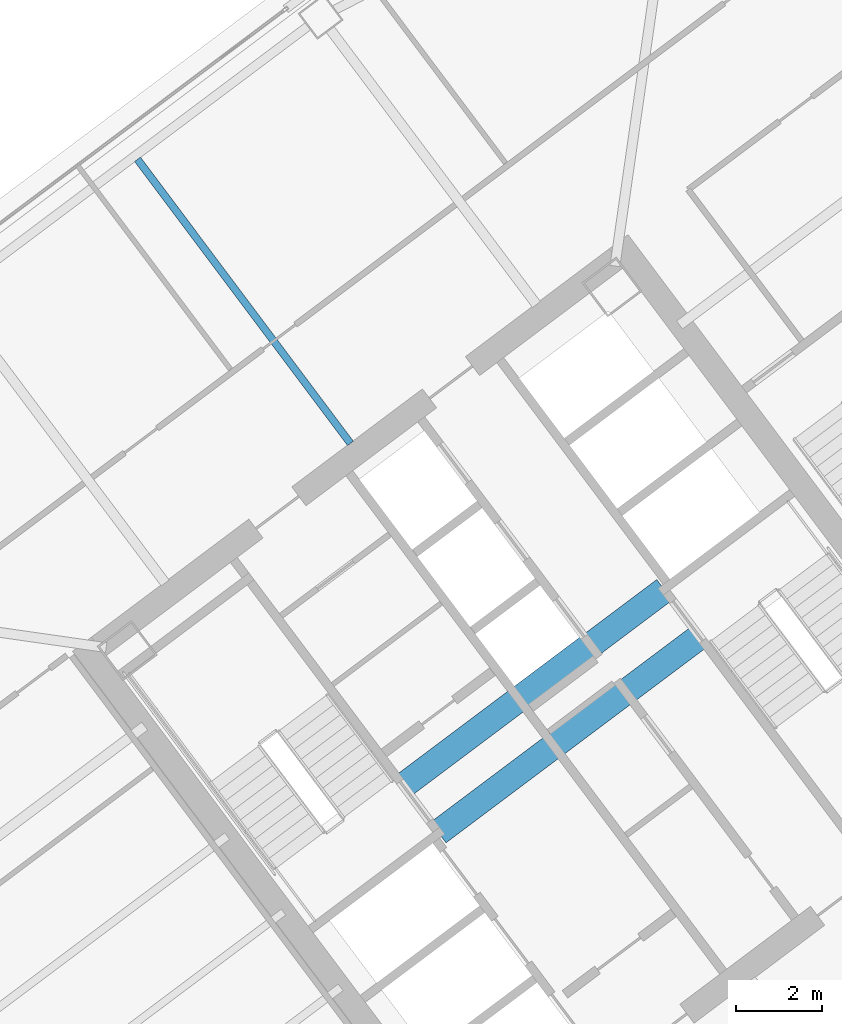
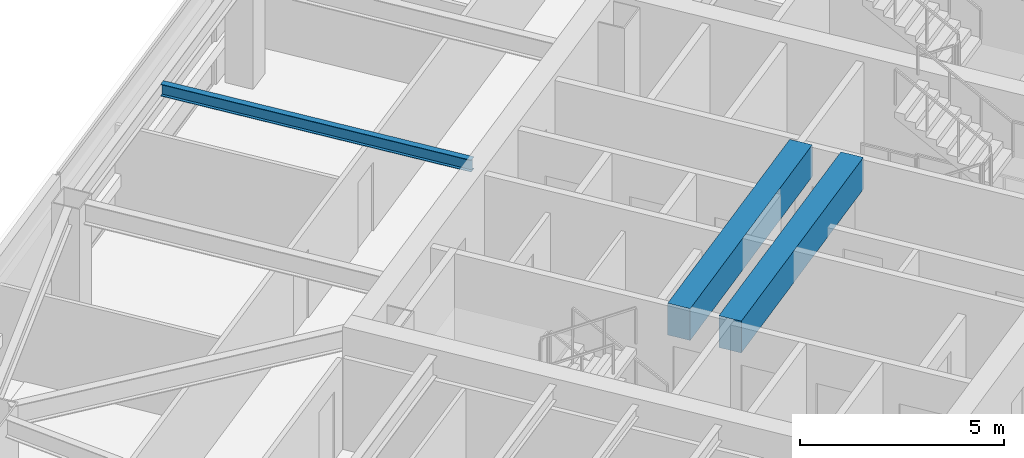
# One storey, part 21 of 41: 3 beams.
"""IFC4 building model written with IfcOpenShell, lengths in metres."""

from ifc_helpers import new_model, si_unit, direction, frame, origin, origin_2d, place, context, subcontext, project, spatial, rectangle, i_section, extrude, material, material_profile, profile_set, type_object, element, save


model = new_model("IFC4")

# Units and contexts
model_context = context("Model", 3, precision=1e-05, world=origin(), true_north=direction((0.0, 1.0)))
body_context = subcontext(model_context, "Body", "Model", "MODEL_VIEW")
ifc_project = project(units=[si_unit("LENGTHUNIT", "METRE"), si_unit("AREAUNIT", "SQUARE_METRE"), si_unit("VOLUMEUNIT", "CUBIC_METRE"), si_unit("PLANEANGLEUNIT", "RADIAN"), si_unit("MASSUNIT", "GRAM", prefix="KILO")], contexts=[model_context])

# Site, building, storey
site_placement = place(None, origin())
site = spatial("IfcSite", under=ifc_project, at=site_placement, CompositionType="ELEMENT")
building_placement = place(site_placement, origin())
building = spatial("IfcBuilding", under=site, at=building_placement, Name="Tashvorn Skyway Center", CompositionType="ELEMENT")
storey_placement = place(building_placement, frame((0.0, 0.0, 171.199951171875)))
storey = spatial("IfcBuildingStorey", under=building, at=storey_placement, Name="L46", CompositionType="ELEMENT", Elevation=171.199951171875)

# Beams
ifc_material_1 = material(Name="Steel ASTM A992 Grade 50", Category="steel")
ifc_material_profile_1 = material_profile(ifc_material_1, i_section(OverallWidth=0.1708984375, OverallDepth=0.35498046875, WebThickness=0.007080078125, FlangeThickness=0.01171875, at=origin_2d()), Name="W14X34")
ifc_profile_set_1 = profile_set([ifc_material_profile_1], Name="Steel ASTM A992 Grade 50")
beam_type_1 = type_object("IfcBeamType", Name="BM-JOIST-W14X34", PredefinedType="JOIST", material=ifc_profile_set_1)
beam_placement = place(storey_placement, frame((109.325927734375, 38.23193359375, 3.192626953125), z_axis=(-0.59999527236, 0.800003545708, 0.0), x_axis=(-0.800003545708, -0.59999527236, 0.0)))
element("IfcBeam", 1, at=beam_placement, inside=storey, type_object=beam_type_1, Name="Tower 2 L46 Secondary Composite Joist JN", PredefinedType="JOIST", context=body_context, shape_type="SweptSolid", body=[
    extrude(i_section(OverallWidth=0.1708984375, OverallDepth=0.35498046875, WebThickness=0.007080078125, FlangeThickness=0.01171875, at=origin_2d()), origin(), (0.0, 0.0, 1.0), 8.2626953125),
])
ifc_material_2 = material(Name="Concrete C60/75", Category="concrete")
ifc_material_profile_2 = material_profile(ifc_material_2, rectangle(XDim=0.60009765625, YDim=0.949951171875, at=origin_2d()), Name="RCB600x950")
ifc_profile_set_2 = profile_set([ifc_material_profile_2], Name="Concrete C60/75")
beam_type_2 = type_object("IfcBeamType", Name="BM-LINTEL-RCB600x950", PredefinedType="LINTEL", material=ifc_profile_set_2)
for number, where, z_axis, x_axis, name in (
    (2, (110.552001953125, 30.263916015625, 2.89501953125), (0.8, 0.6, 0.0), (-0.6, 0.8, 0.0), "Tower 2 L46 Core Coupling Beam CN"),
    (3, (111.367919921875, 29.176025390625, 2.89501953125), (0.8, 0.6, 0.0), (-0.6, 0.8, 0.0), "Tower 2 L46 Core Coupling Beam CS"),
):
    element("IfcBeam", number, at=place(storey_placement, frame(where, z_axis=z_axis, x_axis=x_axis)), inside=storey, type_object=beam_type_2, Name=name, PredefinedType="LINTEL", context=body_context, shape_type="SweptSolid", body=[
        extrude(rectangle(XDim=0.60009765625, YDim=0.949951171875, at=origin_2d()), origin(), (0.0, 0.0, 1.0), 7.60009765625),
    ])

save(model, "model.ifc")
